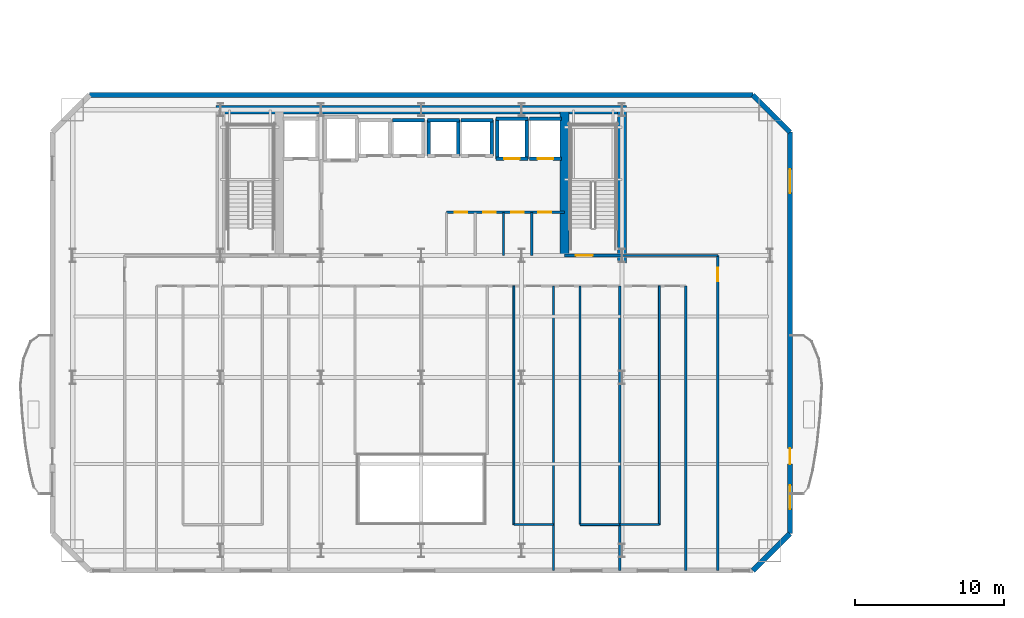
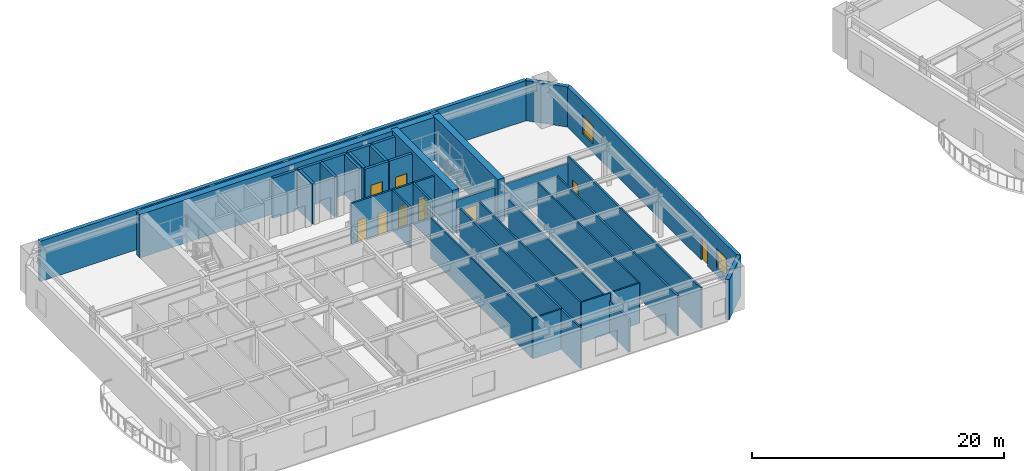
# One storey, part 7 of 15: 34 walls, 9 doors, 2 windows, 11 openings.
"""IFC4 building model written with IfcOpenShell, lengths in metres."""

from ifc_helpers import new_model, si_unit, direction, frame, frame_2d, origin, place, context, subcontext, project, spatial, rectangle, extrude, material, layer, layer_set, type_object, element, fill, save


model = new_model("IFC4")

# Units and contexts
model_context = context("Model", 3, precision=1e-05, world=origin(), true_north=direction((0.0, 1.0)))
body_context = subcontext(model_context, "Body", "Model", "MODEL_VIEW")
ifc_project = project(units=[si_unit("LENGTHUNIT", "METRE"), si_unit("AREAUNIT", "SQUARE_METRE"), si_unit("VOLUMEUNIT", "CUBIC_METRE"), si_unit("PLANEANGLEUNIT", "RADIAN"), si_unit("MASSUNIT", "GRAM", prefix="KILO")], contexts=[model_context])

# Site, building, storey
site_placement = place(None, origin())
site = spatial("IfcSite", under=ifc_project, at=site_placement, CompositionType="ELEMENT")
building_placement = place(site_placement, origin())
building = spatial("IfcBuilding", under=site, at=building_placement, Name="Haevon Station Towers", CompositionType="ELEMENT")
storey_placement = place(building_placement, frame((0.0, 0.0, 77.699951171875)))
storey = spatial("IfcBuildingStorey", under=building, at=storey_placement, Name="L20", CompositionType="ELEMENT", Elevation=77.699951171875)

# Wall, opening, door
ifc_material_1 = material(Name="Gypsum board on steel stud", Category="steel")
ifc_layer_1 = layer(ifc_material_1, 0.199951171875)
ifc_layer_set_1 = layer_set([ifc_layer_1], Name="Gypsum board on steel stud")
wall_type_1 = type_object("IfcWallType", Name="WL-COR200", PredefinedType="PARTITIONING", material=ifc_layer_set_1)
wall_1_placement = place(storey_placement, frame((47.14990234375, 38.199951171875, 0.0), z_axis=(0.0, 0.0, 1.0), x_axis=(1.0, 0.0, 0.0)))
wall_1 = element("IfcWall", 1, at=wall_1_placement, inside=storey, type_object=wall_type_1, Name="WL-ST-ST2-L20", PredefinedType="PARTITIONING", context=body_context, shape_type="SweptSolid", body=[
    extrude(rectangle(XDim=3.85009765625, YDim=0.199951171875, at=frame_2d((1.925048828125, 0.0))), origin(), (0.0, 0.0, 1.0), 3.199951171875),
])
opening_1_placement = place(wall_1_placement, frame((0.75, 0.0, 0.0)))
opening_1 = element("IfcOpeningElement", 2, at=opening_1_placement, cuts=wall_1, Name="Opening DR-ST-ST2-L20", PredefinedType="OPENING", context=body_context, shape_type="SweptSolid", body=[
    extrude(rectangle(XDim=1.1201171875, YDim=2.10009765625, at=frame_2d((0.56005859375, 1.050048828125))), frame((0.0, 0.10986328125, 0.0), z_axis=(0.0, -1.0, 0.0), x_axis=(1.0, 0.0, 0.0)), (0.0, 0.0, 1.0), 0.219970703125),
])
ifc_material_2 = material(Name="Engineered oak timber", Category="wood")
door_type_1 = type_object("IfcDoorType", Name="DR-ST-1120", OperationType="NOTDEFINED", PredefinedType="DOOR", material=ifc_material_2)
door_1_placement = place(opening_1_placement, origin())
door_1 = element("IfcDoor", 3, at=door_1_placement, inside=storey, type_object=door_type_1, Name="L20 Escape Stair ST2 Fire Door", OperationType="SINGLE_SWING_LEFT", OverallHeight=2.10009765625, OverallWidth=1.1201171875, PredefinedType="DOOR", context=body_context, shape_type="SweptSolid", body=[
    extrude(rectangle(XDim=1.1201171875, YDim=2.10009765625, at=frame_2d((0.56005859375, 1.050048828125))), frame((0.0, 0.02490234375, 0.0), z_axis=(0.0, -1.0, 0.0), x_axis=(1.0, 0.0, 0.0)), (0.0, 0.0, 1.0), 0.050048828125),
])
fill(opening_1, door_1)

# Walls
ifc_material_3 = material(Name="Concrete C60/75", Category="concrete")
ifc_layer_2 = layer(ifc_material_3, 0.60009765625)
ifc_layer_set_2 = layer_set([ifc_layer_2], Name="Concrete C60/75")
wall_type_2 = type_object("IfcWallType", Name="WL-CR600", PredefinedType="SHEAR", material=ifc_layer_set_2)
wall_2_placement = place(storey_placement, frame((23.699951171875, 48.0, 0.0), z_axis=(0.0, 0.0, 1.0), x_axis=(1.0, 0.0, 0.0)))
element("IfcWall", 4, at=wall_2_placement, inside=storey, type_object=wall_type_2, Name="WL-T1CR-L20-N", PredefinedType="SHEAR", context=body_context, shape_type="SweptSolid", body=[
    extrude(rectangle(XDim=27.60009765625, YDim=0.60009765625, at=frame_2d((13.800048828125, 0.0))), origin(), (0.0, 0.0, 1.0), 4.199951171875),
])
wall_3_placement = place(storey_placement, frame((51.0, 37.679931640625, 0.0), z_axis=(0.0, 0.0, 1.0), x_axis=(0.0, 1.0, 0.0)))
element("IfcWall", 5, at=wall_3_placement, inside=storey, type_object=wall_type_2, Name="WL-T1CR-L20-E", PredefinedType="SHEAR", context=body_context, shape_type="SweptSolid", body=[
    extrude(rectangle(XDim=10.320068359375, YDim=0.60009765625, at=frame_2d((5.16015625, 0.0))), origin(), (0.0, 0.0, 1.0), 4.199951171875),
])
wall_4_placement = place(storey_placement, frame((47.14990234375, 38.199951171875, 0.0), z_axis=(0.0, 0.0, 1.0), x_axis=(0.0, 1.0, 0.0)))
element("IfcWall", 6, at=wall_4_placement, inside=storey, type_object=wall_type_2, Name="WL-T1CR-L20-M2", PredefinedType="SHEAR", context=body_context, shape_type="SweptSolid", body=[
    extrude(rectangle(XDim=9.800048828125, YDim=0.60009765625, at=frame_2d((4.89990234375, 0.0))), origin(), (0.0, 0.0, 1.0), 4.199951171875),
])
ifc_material_4 = material(Name="Precast concrete C45/55", Category="concrete")
ifc_layer_3 = layer(ifc_material_4, 0.340087890625)
ifc_layer_set_3 = layer_set([ifc_layer_3], Name="Precast concrete C45/55")
wall_type_3 = type_object("IfcWallType", Name="WL-EXT-PIER340", PredefinedType="SOLIDWALL", material=ifc_layer_set_3)
wall_5_placement = place(storey_placement, frame((15.199951171875, 49.0, 0.0), z_axis=(0.0, 0.0, 1.0), x_axis=(1.0, 0.0, 0.0)))
element("IfcWall", 7, at=wall_5_placement, inside=storey, type_object=wall_type_3, Name="WL-T1-L20-N", PredefinedType="SOLIDWALL", context=body_context, shape_type="SweptSolid", body=[
    extrude(rectangle(XDim=44.60009765625, YDim=0.340087890625, at=frame_2d((22.300048828125, 0.0))), origin(), (0.0, 0.0, 1.0), 3.900146484375),
])
wall_6_placement = place(storey_placement, frame((59.800048828125, 49.0, 0.0), z_axis=(0.0, 0.0, 1.0), x_axis=(0.707106781187, -0.707106781187, 0.0)))
element("IfcWall", 8, at=wall_6_placement, inside=storey, type_object=wall_type_3, Name="WL-T1-L20-NEC", PredefinedType="SOLIDWALL", context=body_context, shape_type="SweptSolid", body=[
    extrude(rectangle(XDim=3.53564453125, YDim=0.340087890625, at=frame_2d((1.767822265625, 0.0))), origin(), (0.0, 0.0, 1.0), 3.900146484375),
])

# Wall, openings, door, windows
wall_7_placement = place(storey_placement, frame((62.300048828125, 46.5, 0.0), z_axis=(0.0, 0.0, 1.0), x_axis=(0.0, -1.0, 0.0)))
wall_7 = element("IfcWall", 9, at=wall_7_placement, inside=storey, type_object=wall_type_3, Name="WL-T1-L20-E", PredefinedType="SOLIDWALL", context=body_context, shape_type="SweptSolid", body=[
    extrude(rectangle(XDim=27.0, YDim=0.340087890625, at=frame_2d((13.5, 0.0))), origin(), (0.0, 0.0, 1.0), 3.900146484375),
])
opening_2_placement = place(wall_7_placement, frame((21.27490234375, 0.0, 0.0)))
opening_2 = element("IfcOpeningElement", 10, at=opening_2_placement, cuts=wall_7, Name="Opening DR-T1-SCAL-L20-E", PredefinedType="OPENING", context=body_context, shape_type="SweptSolid", body=[
    extrude(rectangle(XDim=1.050048828125, YDim=2.10009765625, at=frame_2d((0.52490234375, 1.050048828125))), frame((0.0, 0.179931640625, 0.0), z_axis=(0.0, -1.0, 0.0), x_axis=(1.0, 0.0, 0.0)), (0.0, 0.0, 1.0), 0.360107421875),
])
opening_3_placement = place(wall_7_placement, frame((2.5, 0.0, 0.800048828125)))
opening_3 = element("IfcOpeningElement", 11, at=opening_3_placement, cuts=wall_7, Name="Opening WN-END160", PredefinedType="OPENING", context=body_context, shape_type="SweptSolid", body=[
    extrude(rectangle(XDim=1.60009765625, YDim=1.800048828125, at=frame_2d((0.800048828125, 0.89990234375))), frame((0.0, 0.179931640625, 0.0), z_axis=(0.0, -1.0, 0.0), x_axis=(1.0, 0.0, 0.0)), (0.0, 0.0, 1.0), 0.360107421875),
])
opening_4_placement = place(wall_7_placement, frame((23.75, 0.0, 0.800048828125)))
opening_4 = element("IfcOpeningElement", 12, at=opening_4_placement, cuts=wall_7, Name="Opening WN-END160", PredefinedType="OPENING", context=body_context, shape_type="SweptSolid", body=[
    extrude(rectangle(XDim=1.60009765625, YDim=1.800048828125, at=frame_2d((0.800048828125, 0.89990234375))), frame((0.0, 0.179931640625, 0.0), z_axis=(0.0, -1.0, 0.0), x_axis=(1.0, 0.0, 0.0)), (0.0, 0.0, 1.0), 0.360107421875),
])
ifc_material_5 = material(Name="Thermally broken anodised aluminium and laminated safety glass", Category="aluminium")
door_type_2 = type_object("IfcDoorType", Name="DR-BALC-1050", OperationType="NOTDEFINED", PredefinedType="DOOR", material=ifc_material_5)
door_2_placement = place(opening_2_placement, origin())
door_2 = element("IfcDoor", 13, at=door_2_placement, inside=storey, type_object=door_type_2, Name="Tower 1 L20 East Scalloped Balcony Door", OperationType="SINGLE_SWING_LEFT", OverallHeight=2.10009765625, OverallWidth=1.050048828125, PredefinedType="DOOR", context=body_context, shape_type="SweptSolid", body=[
    extrude(rectangle(XDim=1.050048828125, YDim=2.10009765625, at=frame_2d((0.52490234375, 1.050048828125))), frame((0.0, 0.02490234375, 0.0), z_axis=(0.0, -1.0, 0.0), x_axis=(1.0, 0.0, 0.0)), (0.0, 0.0, 1.0), 0.050048828125),
])
fill(opening_2, door_2)
ifc_material_6 = material(Name="Low-E triple glazing in thermally broken aluminium", Category="aluminium")
window_type = type_object("IfcWindowType", Name="WN-END160", PartitioningType="SINGLE_PANEL", PredefinedType="WINDOW", material=ifc_material_6)
window_1_placement = place(opening_3_placement, origin())
window_1 = element("IfcWindow", 14, at=window_1_placement, inside=storey, type_object=window_type, Name="WN-T1-L20-E01", OverallHeight=1.800048828125, OverallWidth=1.60009765625, PartitioningType="SINGLE_PANEL", PredefinedType="WINDOW", context=body_context, shape_type="SweptSolid", body=[
    extrude(rectangle(XDim=1.60009765625, YDim=1.800048828125, at=frame_2d((0.800048828125, 0.89990234375))), frame((0.0, 0.030029296875, 0.0), z_axis=(0.0, -1.0, 0.0), x_axis=(1.0, 0.0, 0.0)), (0.0, 0.0, 1.0), 0.06005859375),
])
fill(opening_3, window_1)
window_2_placement = place(opening_4_placement, origin())
window_2 = element("IfcWindow", 15, at=window_2_placement, inside=storey, type_object=window_type, Name="WN-T1-L20-E02", OverallHeight=1.800048828125, OverallWidth=1.60009765625, PartitioningType="SINGLE_PANEL", PredefinedType="WINDOW", context=body_context, shape_type="SweptSolid", body=[
    extrude(rectangle(XDim=1.60009765625, YDim=1.800048828125, at=frame_2d((0.800048828125, 0.89990234375))), frame((0.0, 0.030029296875, 0.0), z_axis=(0.0, -1.0, 0.0), x_axis=(1.0, 0.0, 0.0)), (0.0, 0.0, 1.0), 0.06005859375),
])
fill(opening_4, window_2)

# Walls
wall_8_placement = place(storey_placement, frame((62.300048828125, 19.5, 0.0), z_axis=(0.0, 0.0, 1.0), x_axis=(-0.707106781187, -0.707106781187, 0.0)))
element("IfcWall", 16, at=wall_8_placement, inside=storey, type_object=wall_type_3, Name="WL-T1-L20-SEC", PredefinedType="SOLIDWALL", context=body_context, shape_type="SweptSolid", body=[
    extrude(rectangle(XDim=3.53564453125, YDim=0.340087890625, at=frame_2d((1.767822265625, 0.0))), origin(), (0.0, 0.0, 1.0), 3.900146484375),
])
ifc_layer_4 = layer(ifc_material_1, 0.125)
ifc_layer_set_4 = layer_set([ifc_layer_4], Name="Gypsum board on steel stud")
wall_type_4 = type_object("IfcWallType", Name="WL-PRT125", PredefinedType="PARTITIONING", material=ifc_layer_set_4)
wall_9_placement = place(storey_placement, frame((43.72998046875, 20.10009765625, 0.0), z_axis=(0.0, 0.0, 1.0), x_axis=(0.0, 1.0, 0.0)))
element("IfcWall", 17, at=wall_9_placement, inside=storey, type_object=wall_type_4, Name="WL-T1PT-L20-23", PredefinedType="PARTITIONING", context=body_context, shape_type="SweptSolid", body=[
    extrude(rectangle(XDim=16.0498046875, YDim=0.125, at=frame_2d((8.02490234375, 0.0))), origin(), (0.0, 0.0, 1.0), 3.900146484375),
])
wall_10_placement = place(storey_placement, frame((48.179931640625, 20.10009765625, 0.0), z_axis=(0.0, 0.0, 1.0), x_axis=(1.0, 0.0, 0.0)))
element("IfcWall", 18, at=wall_10_placement, inside=storey, type_object=wall_type_4, Name="WL-T1PT-L20-25", PredefinedType="PARTITIONING", context=body_context, shape_type="SweptSolid", body=[
    extrude(rectangle(XDim=2.670166015625, YDim=0.125, at=frame_2d((1.3349609375, 0.0))), origin(), (0.0, 0.0, 1.0), 3.900146484375),
])
wall_11_placement = place(storey_placement, frame((53.52001953125, 20.10009765625, 0.0), z_axis=(0.0, 0.0, 1.0), x_axis=(0.0, 1.0, 0.0)))
element("IfcWall", 19, at=wall_11_placement, inside=storey, type_object=wall_type_4, Name="WL-T1PT-L20-29", PredefinedType="PARTITIONING", context=body_context, shape_type="SweptSolid", body=[
    extrude(rectangle(XDim=16.0498046875, YDim=0.125, at=frame_2d((8.02490234375, 0.0))), origin(), (0.0, 0.0, 1.0), 3.900146484375),
])
ifc_layer_5 = layer(ifc_material_1, 0.139892578125)
ifc_layer_set_5 = layer_set([ifc_layer_5], Name="Gypsum board on steel stud")
wall_type_5 = type_object("IfcWallType", Name="WL-PRT140", PredefinedType="PARTITIONING", material=ifc_layer_set_5)
wall_12_placement = place(storey_placement, frame((43.72998046875, 20.10009765625, 0.0), z_axis=(0.0, 0.0, 1.0), x_axis=(1.0, 0.0, 0.0)))
element("IfcWall", 20, at=wall_12_placement, inside=storey, type_object=wall_type_5, Name="WL-T1PT-L20-22", PredefinedType="PARTITIONING", context=body_context, shape_type="SweptSolid", body=[
    extrude(rectangle(XDim=2.669921875, YDim=0.139892578125, at=frame_2d((1.3349609375, 0.0))), origin(), (0.0, 0.0, 1.0), 3.900146484375),
])
wall_13_placement = place(storey_placement, frame((48.179931640625, 20.10009765625, 0.0), z_axis=(0.0, 0.0, 1.0), x_axis=(0.0, 1.0, 0.0)))
element("IfcWall", 21, at=wall_13_placement, inside=storey, type_object=wall_type_5, Name="WL-T1PT-L20-26", PredefinedType="PARTITIONING", context=body_context, shape_type="SweptSolid", body=[
    extrude(rectangle(XDim=16.0498046875, YDim=0.139892578125, at=frame_2d((8.02490234375, 0.0))), origin(), (0.0, 0.0, 1.0), 3.900146484375),
])
wall_14_placement = place(storey_placement, frame((50.85009765625, 20.10009765625, 0.0), z_axis=(0.0, 0.0, 1.0), x_axis=(1.0, 0.0, 0.0)))
element("IfcWall", 22, at=wall_14_placement, inside=storey, type_object=wall_type_5, Name="WL-T1PT-L20-28", PredefinedType="PARTITIONING", context=body_context, shape_type="SweptSolid", body=[
    extrude(rectangle(XDim=2.669921875, YDim=0.139892578125, at=frame_2d((1.3349609375, 0.0))), origin(), (0.0, 0.0, 1.0), 3.900146484375),
])
ifc_layer_6 = layer(ifc_material_1, 0.159912109375)
ifc_layer_set_6 = layer_set([ifc_layer_6], Name="Gypsum board on steel stud")
wall_type_6 = type_object("IfcWallType", Name="WL-PRT160", PredefinedType="PARTITIONING", material=ifc_layer_set_6)
for number, where, z_axis, x_axis, name in (
    (23, (43.030029296875, 38.199951171875, 0.0), (0.0, 0.0, 1.0), (0.0, 1.0, 0.0), "WL-T1CW-L20-03"),
    (24, (44.929931640625, 38.199951171875, 0.0), (0.0, 0.0, 1.0), (0.0, 1.0, 0.0), "WL-T1CW-L20-04"),
):
    element("IfcWall", number, at=place(storey_placement, frame(where, z_axis=z_axis, x_axis=x_axis)), inside=storey, type_object=wall_type_6, Name=name, PredefinedType="PARTITIONING", context=body_context, shape_type="SweptSolid", body=[
        extrude(rectangle(XDim=2.900146484375, YDim=0.159912109375, at=frame_2d((1.4501953125, 0.0))), origin(), (0.0, 0.0, 1.0), 3.900146484375),
    ])

# Wall, openings, doors
wall_15_placement = place(storey_placement, frame((39.199951171875, 41.10009765625, 0.0), z_axis=(0.0, 0.0, 1.0), x_axis=(1.0, 0.0, 0.0)))
wall_15 = element("IfcWall", 25, at=wall_15_placement, inside=storey, type_object=wall_type_6, Name="WL-T1CW-L20-05", PredefinedType="PARTITIONING", context=body_context, shape_type="SweptSolid", body=[
    extrude(rectangle(XDim=7.949951171875, YDim=0.159912109375, at=frame_2d((3.97509765625, 0.0))), origin(), (0.0, 0.0, 1.0), 3.900146484375),
])
opening_5_placement = place(wall_15_placement, frame((0.56005859375, 0.0, 0.0)))
opening_5 = element("IfcOpeningElement", 26, at=opening_5_placement, cuts=wall_15, Name="Opening DR-WL-T1CW-L20-05-1", PredefinedType="OPENING", context=body_context, shape_type="SweptSolid", body=[
    extrude(rectangle(XDim=0.85009765625, YDim=2.050048828125, at=frame_2d((0.425048828125, 1.02490234375))), frame((0.0, 0.08984375, 0.0), z_axis=(0.0, -1.0, 0.0), x_axis=(1.0, 0.0, 0.0)), (0.0, 0.0, 1.0), 0.179931640625),
])
opening_6_placement = place(wall_15_placement, frame((2.455078125, 0.0, 0.0)))
opening_6 = element("IfcOpeningElement", 27, at=opening_6_placement, cuts=wall_15, Name="Opening DR-WL-T1CW-L20-05-2", PredefinedType="OPENING", context=body_context, shape_type="SweptSolid", body=[
    extrude(rectangle(XDim=0.85009765625, YDim=2.050048828125, at=frame_2d((0.425048828125, 1.02490234375))), frame((0.0, 0.08984375, 0.0), z_axis=(0.0, -1.0, 0.0), x_axis=(1.0, 0.0, 0.0)), (0.0, 0.0, 1.0), 0.179931640625),
])
opening_7_placement = place(wall_15_placement, frame((4.35498046875, 0.0, 0.0)))
opening_7 = element("IfcOpeningElement", 28, at=opening_7_placement, cuts=wall_15, Name="Opening DR-WL-T1CW-L20-05-3", PredefinedType="OPENING", context=body_context, shape_type="SweptSolid", body=[
    extrude(rectangle(XDim=0.85009765625, YDim=2.050048828125, at=frame_2d((0.425048828125, 1.02490234375))), frame((0.0, 0.08984375, 0.0), z_axis=(0.0, -1.0, 0.0), x_axis=(1.0, 0.0, 0.0)), (0.0, 0.0, 1.0), 0.179931640625),
])
opening_8_placement = place(wall_15_placement, frame((6.179931640625, 0.0, 0.0)))
opening_8 = element("IfcOpeningElement", 29, at=opening_8_placement, cuts=wall_15, Name="Opening DR-WL-T1CW-L20-05-4", PredefinedType="OPENING", context=body_context, shape_type="SweptSolid", body=[
    extrude(rectangle(XDim=0.85009765625, YDim=2.050048828125, at=frame_2d((0.425048828125, 1.02490234375))), frame((0.0, 0.08984375, 0.0), z_axis=(0.0, -1.0, 0.0), x_axis=(1.0, 0.0, 0.0)), (0.0, 0.0, 1.0), 0.179931640625),
])
door_type_3 = type_object("IfcDoorType", Name="DR-FD30-850", OperationType="NOTDEFINED", PredefinedType="DOOR", material=ifc_material_2)
door_3_placement = place(opening_5_placement, origin())
door_3 = element("IfcDoor", 30, at=door_3_placement, inside=storey, type_object=door_type_3, Name="L20 Tower 1 Core Room Door 5-1", OperationType="SINGLE_SWING_RIGHT", OverallHeight=2.050048828125, OverallWidth=0.85009765625, PredefinedType="DOOR", context=body_context, shape_type="SweptSolid", body=[
    extrude(rectangle(XDim=0.85009765625, YDim=2.050048828125, at=frame_2d((0.425048828125, 1.02490234375))), frame((0.0, 0.02490234375, 0.0), z_axis=(0.0, -1.0, 0.0), x_axis=(1.0, 0.0, 0.0)), (0.0, 0.0, 1.0), 0.050048828125),
])
fill(opening_5, door_3)
door_4_placement = place(opening_6_placement, origin())
door_4 = element("IfcDoor", 31, at=door_4_placement, inside=storey, type_object=door_type_3, Name="L20 Tower 1 Core Room Door 5-2", OperationType="SINGLE_SWING_LEFT", OverallHeight=2.050048828125, OverallWidth=0.85009765625, PredefinedType="DOOR", context=body_context, shape_type="SweptSolid", body=[
    extrude(rectangle(XDim=0.85009765625, YDim=2.050048828125, at=frame_2d((0.425048828125, 1.02490234375))), frame((0.0, 0.02490234375, 0.0), z_axis=(0.0, -1.0, 0.0), x_axis=(1.0, 0.0, 0.0)), (0.0, 0.0, 1.0), 0.050048828125),
])
fill(opening_6, door_4)
door_5_placement = place(opening_7_placement, origin())
door_5 = element("IfcDoor", 32, at=door_5_placement, inside=storey, type_object=door_type_3, Name="L20 Tower 1 Core Room Door 5-3", OperationType="SINGLE_SWING_RIGHT", OverallHeight=2.050048828125, OverallWidth=0.85009765625, PredefinedType="DOOR", context=body_context, shape_type="SweptSolid", body=[
    extrude(rectangle(XDim=0.85009765625, YDim=2.050048828125, at=frame_2d((0.425048828125, 1.02490234375))), frame((0.0, 0.02490234375, 0.0), z_axis=(0.0, -1.0, 0.0), x_axis=(1.0, 0.0, 0.0)), (0.0, 0.0, 1.0), 0.050048828125),
])
fill(opening_7, door_5)
door_6_placement = place(opening_8_placement, origin())
door_6 = element("IfcDoor", 33, at=door_6_placement, inside=storey, type_object=door_type_3, Name="L20 Tower 1 Core Room Door 5-4", OperationType="SINGLE_SWING_LEFT", OverallHeight=2.050048828125, OverallWidth=0.85009765625, PredefinedType="DOOR", context=body_context, shape_type="SweptSolid", body=[
    extrude(rectangle(XDim=0.85009765625, YDim=2.050048828125, at=frame_2d((0.425048828125, 1.02490234375))), frame((0.0, 0.02490234375, 0.0), z_axis=(0.0, -1.0, 0.0), x_axis=(1.0, 0.0, 0.0)), (0.0, 0.0, 1.0), 0.050048828125),
])
fill(opening_8, door_6)

# Walls
wall_16_placement = place(storey_placement, frame((55.300048828125, 17.0, 0.0), z_axis=(0.0, 0.0, 1.0), x_axis=(0.0, 1.0, 0.0)))
element("IfcWall", 34, at=wall_16_placement, inside=storey, type_object=wall_type_6, Name="WL-T1PT-L20-02", PredefinedType="PARTITIONING", context=body_context, shape_type="SweptSolid", body=[
    extrude(rectangle(XDim=19.14990234375, YDim=0.159912109375, at=frame_2d((9.574951171875, 0.0))), origin(), (0.0, 0.0, 1.0), 3.900146484375),
])
wall_17_placement = place(storey_placement, frame((51.0, 38.199951171875, 0.0), z_axis=(0.0, 0.0, 1.0), x_axis=(1.0, 0.0, 0.0)))
element("IfcWall", 35, at=wall_17_placement, inside=storey, type_object=wall_type_6, Name="WL-T1PT-L20-04", PredefinedType="PARTITIONING", context=body_context, shape_type="SweptSolid", body=[
    extrude(rectangle(XDim=6.449951171875, YDim=0.159912109375, at=frame_2d((3.22509765625, 0.0))), origin(), (0.0, 0.0, 1.0), 3.199951171875),
])

# Wall, opening, door
wall_18_placement = place(storey_placement, frame((57.449951171875, 17.0, 0.0), z_axis=(0.0, 0.0, 1.0), x_axis=(0.0, 1.0, 0.0)))
wall_18 = element("IfcWall", 36, at=wall_18_placement, inside=storey, type_object=wall_type_6, Name="WL-T1PT-L20-06", PredefinedType="PARTITIONING", context=body_context, shape_type="SweptSolid", body=[
    extrude(rectangle(XDim=21.199951171875, YDim=0.159912109375, at=frame_2d((10.60009765625, 0.0))), origin(), (0.0, 0.0, 1.0), 3.900146484375),
])
opening_9_placement = place(wall_18_placement, frame((19.469970703125, 0.0, 0.0)))
opening_9 = element("IfcOpeningElement", 37, at=opening_9_placement, cuts=wall_18, Name="Opening DR-WL-T1PT-L20-06-01", PredefinedType="OPENING", context=body_context, shape_type="SweptSolid", body=[
    extrude(rectangle(XDim=0.89990234375, YDim=2.050048828125, at=frame_2d((0.449951171875, 1.02490234375))), frame((0.0, 0.08984375, 0.0), z_axis=(0.0, -1.0, 0.0), x_axis=(1.0, 0.0, 0.0)), (0.0, 0.0, 1.0), 0.179931640625),
])
door_type_4 = type_object("IfcDoorType", Name="DR-INT-900", OperationType="NOTDEFINED", PredefinedType="DOOR", material=ifc_material_2)
door_7_placement = place(opening_9_placement, origin())
door_7 = element("IfcDoor", 38, at=door_7_placement, inside=storey, type_object=door_type_4, Name="L20 Tower 1 Room Door 6-1", OperationType="SINGLE_SWING_LEFT", OverallHeight=2.050048828125, OverallWidth=0.89990234375, PredefinedType="DOOR", context=body_context, shape_type="SweptSolid", body=[
    extrude(rectangle(XDim=0.89990234375, YDim=2.050048828125, at=frame_2d((0.449951171875, 1.02490234375))), frame((0.0, 0.02490234375, 0.0), z_axis=(0.0, -1.0, 0.0), x_axis=(1.0, 0.0, 0.0)), (0.0, 0.0, 1.0), 0.050048828125),
])
fill(opening_9, door_7)

# Walls
wall_19_placement = place(storey_placement, frame((46.39990234375, 17.0, 0.0), z_axis=(0.0, 0.0, 1.0), x_axis=(0.0, 1.0, 0.0)))
element("IfcWall", 39, at=wall_19_placement, inside=storey, type_object=wall_type_6, Name="WL-T1PT-L20-24", PredefinedType="PARTITIONING", context=body_context, shape_type="SweptSolid", body=[
    extrude(rectangle(XDim=19.14990234375, YDim=0.159912109375, at=frame_2d((9.574951171875, 0.0))), origin(), (0.0, 0.0, 1.0), 3.900146484375),
])
wall_20_placement = place(storey_placement, frame((50.85009765625, 17.0, 0.0), z_axis=(0.0, 0.0, 1.0), x_axis=(0.0, 1.0, 0.0)))
element("IfcWall", 40, at=wall_20_placement, inside=storey, type_object=wall_type_6, Name="WL-T1PT-L20-27", PredefinedType="PARTITIONING", context=body_context, shape_type="SweptSolid", body=[
    extrude(rectangle(XDim=19.14990234375, YDim=0.159912109375, at=frame_2d((9.574951171875, 0.0))), origin(), (0.0, 0.0, 1.0), 3.199951171875),
])
ifc_material_7 = material(Name="Concrete C40/50", Category="concrete")
ifc_layer_7 = layer(ifc_material_7, 0.239990234375)
ifc_layer_set_7 = layer_set([ifc_layer_7], Name="Concrete C40/50")
wall_type_7 = type_object("IfcWallType", Name="WL-SHF240", PredefinedType="PARTITIONING", material=ifc_layer_set_7)
wall_21_placement = place(storey_placement, frame((35.570068359375, 47.300048828125, 0.0), z_axis=(0.0, 0.0, 1.0), x_axis=(1.0, 0.0, 0.0)))
element("IfcWall", 41, at=wall_21_placement, inside=storey, type_object=wall_type_7, Name="WL-SHF-PL2-L20-N", PredefinedType="PARTITIONING", context=body_context, shape_type="SweptSolid", body=[
    extrude(rectangle(XDim=2.159912109375, YDim=0.239990234375, at=frame_2d((1.080078125, 0.0))), origin(), (0.0, 0.0, 1.0), 3.900146484375),
])
wall_22_placement = place(storey_placement, frame((37.919921875, 47.300048828125, 0.0), z_axis=(0.0, 0.0, 1.0), x_axis=(1.0, 0.0, 0.0)))
element("IfcWall", 42, at=wall_22_placement, inside=storey, type_object=wall_type_7, Name="WL-SHF-PL3-L20-N", PredefinedType="PARTITIONING", context=body_context, shape_type="SweptSolid", body=[
    extrude(rectangle(XDim=2.16015625, YDim=0.239990234375, at=frame_2d((1.080078125, 0.0))), origin(), (0.0, 0.0, 1.0), 3.900146484375),
])
for number, where, z_axis, x_axis, name in (
    (43, (38.0, 44.89990234375, 0.0), (0.0, 0.0, 1.0), (0.0, 1.0, 0.0), "WL-SHF-PL3-L20-W"),
    (44, (40.0, 44.89990234375, 0.0), (0.0, 0.0, 1.0), (0.0, 1.0, 0.0), "WL-SHF-PL3-L20-E"),
):
    element("IfcWall", number, at=place(storey_placement, frame(where, z_axis=z_axis, x_axis=x_axis)), inside=storey, type_object=wall_type_7, Name=name, PredefinedType="PARTITIONING", context=body_context, shape_type="SweptSolid", body=[
        extrude(rectangle(XDim=2.400146484375, YDim=0.239990234375, at=frame_2d((1.2001953125, 0.0))), origin(), (0.0, 0.0, 1.0), 3.900146484375),
    ])
wall_23_placement = place(storey_placement, frame((40.169921875, 47.300048828125, 0.0), z_axis=(0.0, 0.0, 1.0), x_axis=(1.0, 0.0, 0.0)))
element("IfcWall", 45, at=wall_23_placement, inside=storey, type_object=wall_type_7, Name="WL-SHF-PL4-L20-N", PredefinedType="PARTITIONING", context=body_context, shape_type="SweptSolid", body=[
    extrude(rectangle(XDim=2.16015625, YDim=0.239990234375, at=frame_2d((1.080078125, 0.0))), origin(), (0.0, 0.0, 1.0), 3.900146484375),
])
wall_24_placement = place(storey_placement, frame((42.25, 44.89990234375, 0.0), z_axis=(0.0, 0.0, 1.0), x_axis=(0.0, 1.0, 0.0)))
element("IfcWall", 46, at=wall_24_placement, inside=storey, type_object=wall_type_7, Name="WL-SHF-PL4-L20-E", PredefinedType="PARTITIONING", context=body_context, shape_type="SweptSolid", body=[
    extrude(rectangle(XDim=2.400146484375, YDim=0.239990234375, at=frame_2d((1.2001953125, 0.0))), origin(), (0.0, 0.0, 1.0), 3.900146484375),
])

# Wall, opening, door
wall_25_placement = place(storey_placement, frame((42.52001953125, 44.699951171875, 0.0), z_axis=(0.0, 0.0, 1.0), x_axis=(1.0, 0.0, 0.0)))
wall_25 = element("IfcWall", 47, at=wall_25_placement, inside=storey, type_object=wall_type_7, Name="WL-SHF-PL5-L20", PredefinedType="PARTITIONING", context=body_context, shape_type="SweptSolid", body=[
    extrude(rectangle(XDim=2.159912109375, YDim=0.239990234375, at=frame_2d((1.080078125, 0.0))), origin(), (0.0, 0.0, 1.0), 3.900146484375),
])
opening_10_placement = place(wall_25_placement, frame((0.554931640625, 0.0, 0.0)))
opening_10 = element("IfcOpeningElement", 48, at=opening_10_placement, cuts=wall_25, Name="Opening LD-PL5-L20", PredefinedType="OPENING", context=body_context, shape_type="SweptSolid", body=[
    extrude(rectangle(XDim=1.050048828125, YDim=2.14990234375, at=frame_2d((0.52490234375, 1.074951171875))), frame((0.0, 0.1298828125, 0.0), z_axis=(0.0, -1.0, 0.0), x_axis=(1.0, 0.0, 0.0)), (0.0, 0.0, 1.0), 0.260009765625),
])
ifc_material_8 = material(Name="Stainless steel and rated core", Category="steel")
door_type_5 = type_object("IfcDoorType", Name="LD-PL1050", OperationType="SLIDING_TO_LEFT", PredefinedType="DOOR", material=ifc_material_8)
door_8_placement = place(opening_10_placement, origin())
door_8 = element("IfcDoor", 49, at=door_8_placement, inside=storey, type_object=door_type_5, Name="L20 Lift PL5 Sliding Landing Door", OperationType="SLIDING_TO_LEFT", OverallHeight=2.14990234375, OverallWidth=1.050048828125, PredefinedType="DOOR", context=body_context, shape_type="SweptSolid", body=[
    extrude(rectangle(XDim=1.050048828125, YDim=2.14990234375, at=frame_2d((0.52490234375, 1.074951171875))), frame((0.0, 0.02490234375, 0.0), z_axis=(0.0, -1.0, 0.0), x_axis=(1.0, 0.0, 0.0)), (0.0, 0.0, 1.0), 0.050048828125),
])
fill(opening_10, door_8)

# Walls
wall_26_placement = place(storey_placement, frame((42.52001953125, 47.39990234375, 0.0), z_axis=(0.0, 0.0, 1.0), x_axis=(1.0, 0.0, 0.0)))
element("IfcWall", 50, at=wall_26_placement, inside=storey, type_object=wall_type_7, Name="WL-SHF-PL5-L20-N", PredefinedType="PARTITIONING", context=body_context, shape_type="SweptSolid", body=[
    extrude(rectangle(XDim=2.159912109375, YDim=0.239990234375, at=frame_2d((1.080078125, 0.0))), origin(), (0.0, 0.0, 1.0), 3.900146484375),
])
for number, where, z_axis, x_axis, name in (
    (51, (42.60009765625, 44.699951171875, 0.0), (0.0, 0.0, 1.0), (0.0, 1.0, 0.0), "WL-SHF-PL5-L20-W"),
    (52, (44.60009765625, 44.699951171875, 0.0), (0.0, 0.0, 1.0), (0.0, 1.0, 0.0), "WL-SHF-PL5-L20-E"),
):
    element("IfcWall", number, at=place(storey_placement, frame(where, z_axis=z_axis, x_axis=x_axis)), inside=storey, type_object=wall_type_7, Name=name, PredefinedType="PARTITIONING", context=body_context, shape_type="SweptSolid", body=[
        extrude(rectangle(XDim=2.699951171875, YDim=0.239990234375, at=frame_2d((1.35009765625, 0.0))), origin(), (0.0, 0.0, 1.0), 3.900146484375),
    ])

# Wall, opening, door
wall_27_placement = place(storey_placement, frame((44.77001953125, 44.699951171875, 0.0), z_axis=(0.0, 0.0, 1.0), x_axis=(1.0, 0.0, 0.0)))
wall_27 = element("IfcWall", 53, at=wall_27_placement, inside=storey, type_object=wall_type_7, Name="WL-SHF-PL6-L20", PredefinedType="PARTITIONING", context=body_context, shape_type="SweptSolid", body=[
    extrude(rectangle(XDim=2.159912109375, YDim=0.239990234375, at=frame_2d((1.080078125, 0.0))), origin(), (0.0, 0.0, 1.0), 3.900146484375),
])
opening_11_placement = place(wall_27_placement, frame((0.554931640625, 0.0, 0.0)))
opening_11 = element("IfcOpeningElement", 54, at=opening_11_placement, cuts=wall_27, Name="Opening LD-PL6-L20", PredefinedType="OPENING", context=body_context, shape_type="SweptSolid", body=[
    extrude(rectangle(XDim=1.050048828125, YDim=2.14990234375, at=frame_2d((0.52490234375, 1.074951171875))), frame((0.0, 0.1298828125, 0.0), z_axis=(0.0, -1.0, 0.0), x_axis=(1.0, 0.0, 0.0)), (0.0, 0.0, 1.0), 0.260009765625),
])
door_9_placement = place(opening_11_placement, origin())
door_9 = element("IfcDoor", 55, at=door_9_placement, inside=storey, type_object=door_type_5, Name="L20 Lift PL6 Sliding Landing Door", OperationType="SLIDING_TO_LEFT", OverallHeight=2.14990234375, OverallWidth=1.050048828125, PredefinedType="DOOR", context=body_context, shape_type="SweptSolid", body=[
    extrude(rectangle(XDim=1.050048828125, YDim=2.14990234375, at=frame_2d((0.52490234375, 1.074951171875))), frame((0.0, 0.02490234375, 0.0), z_axis=(0.0, -1.0, 0.0), x_axis=(1.0, 0.0, 0.0)), (0.0, 0.0, 1.0), 0.050048828125),
])
fill(opening_11, door_9)

# Wall
wall_28_placement = place(storey_placement, frame((44.77001953125, 47.39990234375, 0.0), z_axis=(0.0, 0.0, 1.0), x_axis=(1.0, 0.0, 0.0)))
element("IfcWall", 56, at=wall_28_placement, inside=storey, type_object=wall_type_7, Name="WL-SHF-PL6-L20-N", PredefinedType="PARTITIONING", context=body_context, shape_type="SweptSolid", body=[
    extrude(rectangle(XDim=2.159912109375, YDim=0.239990234375, at=frame_2d((1.080078125, 0.0))), origin(), (0.0, 0.0, 1.0), 3.900146484375),
])

save(model, "model.ifc")
